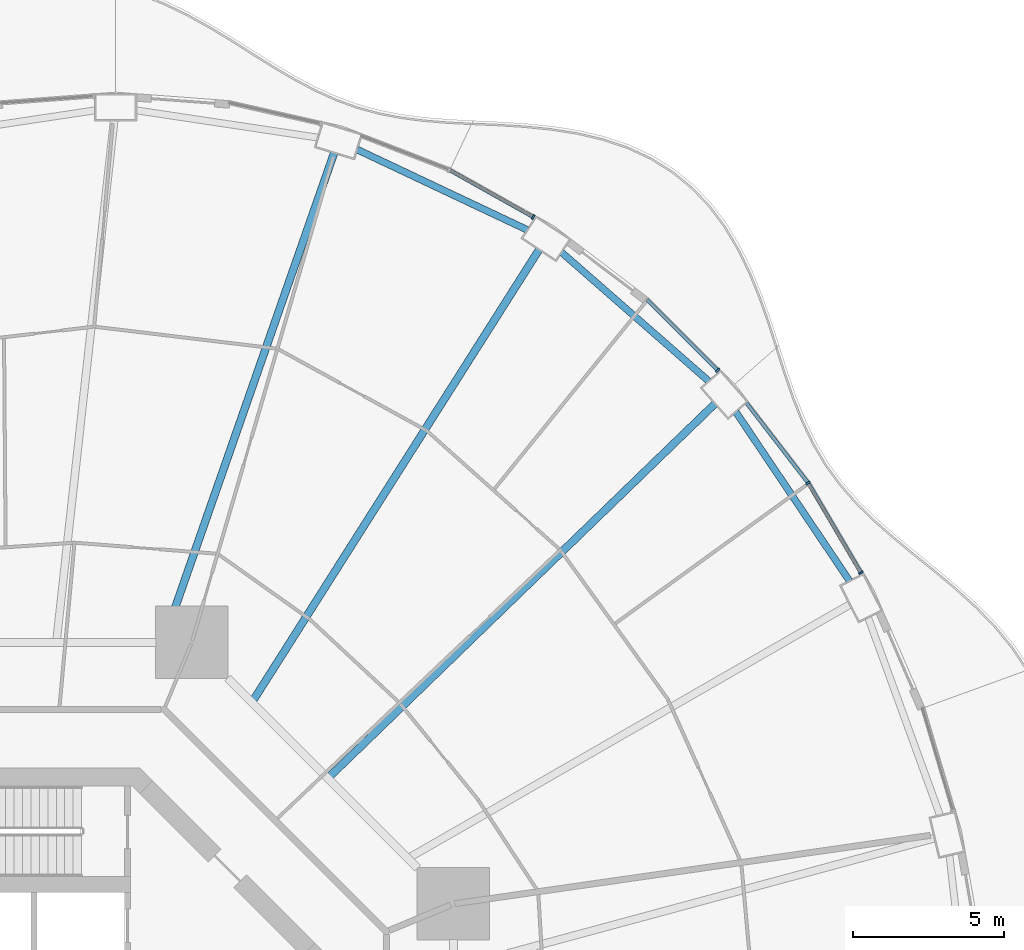
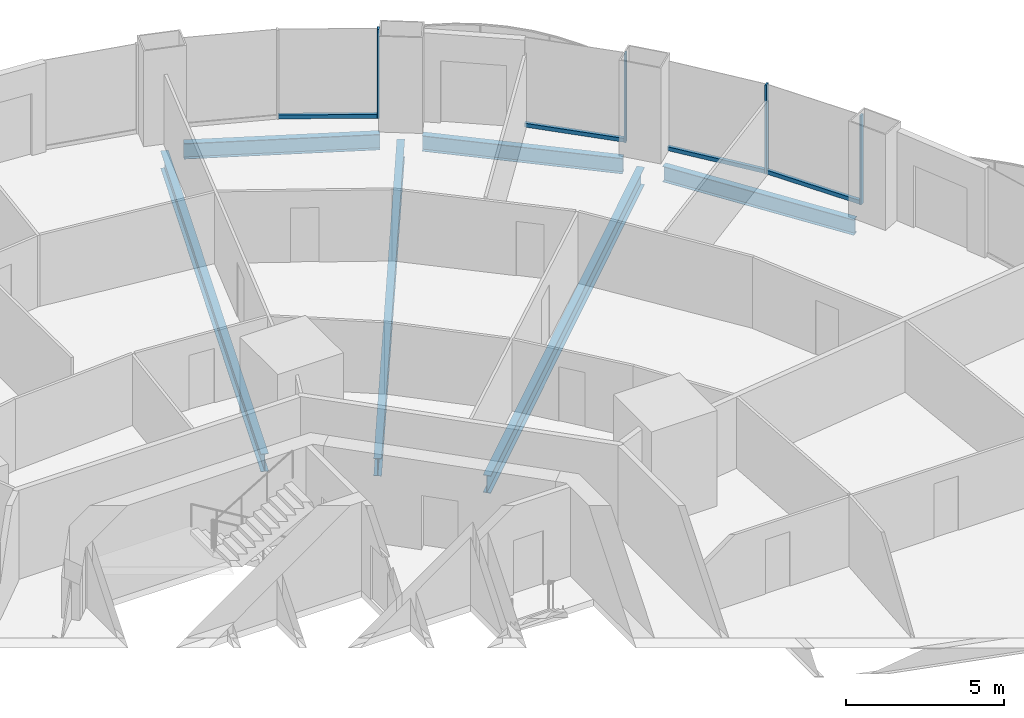
# One storey, part 10 of 22: 8 members, 6 beams, 4 elements without a shape of their own.
"""IFC4 building model written with IfcOpenShell, lengths in metres."""

from ifc_helpers import new_model, si_unit, direction, frame, origin, origin_2d, place, context, subcontext, project, spatial, rectangle, i_section, extrude, material, layer, layer_set, material_profile, profile_set, type_object, element, aggregate, save


model = new_model("IFC4")

# Units and contexts
model_context = context("Model", 3, precision=1e-05, world=origin(), true_north=direction((0.0, 1.0)))
body_context = subcontext(model_context, "Body", "Model", "MODEL_VIEW")
ifc_project = project(units=[si_unit("LENGTHUNIT", "METRE"), si_unit("AREAUNIT", "SQUARE_METRE"), si_unit("VOLUMEUNIT", "CUBIC_METRE"), si_unit("PLANEANGLEUNIT", "RADIAN"), si_unit("MASSUNIT", "GRAM", prefix="KILO")], contexts=[model_context])

# Site, building, storey
site_placement = place(None, origin())
site = spatial("IfcSite", under=ifc_project, at=site_placement, CompositionType="ELEMENT")
building_placement = place(site_placement, origin())
building = spatial("IfcBuilding", under=site, at=building_placement, Name="Nagisa Residences", CompositionType="ELEMENT")
storey_placement = place(building_placement, frame((0.0, 0.0, 41.800048828125)))
storey = spatial("IfcBuildingStorey", under=building, at=storey_placement, Name="L09", CompositionType="ELEMENT", Elevation=41.800048828125)

# Curtain wall, member
ifc_material_1 = material(Name="Concrete-coloured aluminium curtain wall system", Category="concrete")
ifc_layer = layer(ifc_material_1, 0.159912109375)
ifc_layer_set = layer_set([ifc_layer], Name="CW1 CURTAIN WALL")
curtain_wall_type = type_object("IfcCurtainWallType", Name="CW1 CURTAIN WALL", PredefinedType="NOTDEFINED", material=ifc_layer_set)
curtain_wall_1_placement = place(storey_placement, origin())
curtain_wall_1 = element("IfcCurtainWall", 1, at=curtain_wall_1_placement, inside=storey, type_object=curtain_wall_type, Name="cw:CW1:L09:04", PredefinedType="NOTDEFINED")
ifc_material_2 = material(Name="Concrete-coloured aluminium", Category="concrete")
ifc_material_profile_1 = material_profile(ifc_material_2, rectangle(XDim=0.159912109375, YDim=0.06005859375, at=origin_2d()), Name="CW1 MULLION 160x60")
ifc_profile_set_1 = profile_set([ifc_material_profile_1], Name="Concrete-coloured aluminium")
member_type_1 = type_object("IfcMemberType", Name="CW1 MULLION 160x60", PredefinedType="MULLION", material=ifc_profile_set_1)
member_1_placement = place(storey_placement, frame((28.276123046875, 17.089111328125, 0.0), z_axis=(0.0, 0.0, 1.0), x_axis=(-0.862328898214, -0.506348567002, 0.0)))
member_1 = element("IfcMember", 2, at=member_1_placement, type_object=member_type_1, Name="CW1 mullion", PredefinedType="MULLION", context=body_context, shape_type="SweptSolid", body=[
    extrude(rectangle(XDim=0.159912109375, YDim=0.06005859375, at=origin_2d()), origin(), (0.0, 0.0, 1.0), 3.43994140625),
])

curtain_wall_2_placement = place(storey_placement, origin())
curtain_wall_2 = element("IfcCurtainWall", 3, at=curtain_wall_2_placement, inside=storey, type_object=curtain_wall_type, Name="cw:CW1:L09:05", PredefinedType="NOTDEFINED")
member_2_placement = place(storey_placement, frame((26.525634765625, 20.06396484375, 0.0), z_axis=(0.0, 0.0, 1.0), x_axis=(-0.792070340816, -0.610429828235, 0.0)))
member_2 = element("IfcMember", 4, at=member_2_placement, type_object=member_type_1, Name="CW1 mullion", PredefinedType="MULLION", context=body_context, shape_type="SweptSolid", body=[
    extrude(rectangle(XDim=0.159912109375, YDim=0.06005859375, at=origin_2d()), origin(), (0.0, 0.0, 1.0), 3.43994140625),
])

curtain_wall_3_placement = place(storey_placement, origin())
curtain_wall_3 = element("IfcCurtainWall", 5, at=curtain_wall_3_placement, inside=storey, type_object=curtain_wall_type, Name="cw:CW1:L09:06", PredefinedType="NOTDEFINED")
member_3_placement = place(storey_placement, frame((23.532958984375, 23.79345703125, 0.0), z_axis=(0.0, 0.0, 1.0), x_axis=(-0.706376885714, -0.707835924016, 0.0)))
member_3 = element("IfcMember", 6, at=member_3_placement, type_object=member_type_1, Name="CW1 mullion", PredefinedType="MULLION", context=body_context, shape_type="SweptSolid", body=[
    extrude(rectangle(XDim=0.159912109375, YDim=0.06005859375, at=origin_2d()), origin(), (0.0, 0.0, 1.0), 3.43994140625),
])

curtain_wall_4_placement = place(storey_placement, origin())
curtain_wall_4 = element("IfcCurtainWall", 7, at=curtain_wall_4_placement, inside=storey, type_object=curtain_wall_type, Name="cw:CW1:L09:08", PredefinedType="NOTDEFINED")
member_4_placement = place(storey_placement, frame((17.42431640625, 28.8662109375, 0.0), z_axis=(0.0, 0.0, 1.0), x_axis=(-0.489376918501, -0.872072377523, 0.0)))
member_4 = element("IfcMember", 8, at=member_4_placement, type_object=member_type_1, Name="CW1 mullion", PredefinedType="MULLION", context=body_context, shape_type="SweptSolid", body=[
    extrude(rectangle(XDim=0.159912109375, YDim=0.06005859375, at=origin_2d()), origin(), (0.0, 0.0, 1.0), 3.43994140625),
])

# Member
ifc_material_3 = material(Name="Concrete-coloured aluminium", Category="concrete")
ifc_material_profile_2 = material_profile(ifc_material_3, rectangle(XDim=0.1201171875, YDim=0.14990234375, at=origin_2d()), Name="CW1 TRANSOM 120x150")
ifc_profile_set_2 = profile_set([ifc_material_profile_2], Name="Concrete-coloured aluminium")
member_type_2 = type_object("IfcMemberType", Name="CW1 TRANSOM 120x150", PredefinedType="USERDEFINED", material=ifc_profile_set_2)
member_5_placement = place(storey_placement, frame((28.291259765625, 17.063232421875, 0.074951171875), z_axis=(-0.506341951316, 0.862332782827, 0.0), x_axis=(-0.862332782827, -0.506341951316, 0.0)))
member_5 = element("IfcMember", 9, at=member_5_placement, type_object=member_type_2, Name="CW1 transom", ObjectType="TRANSOM", PredefinedType="USERDEFINED", context=body_context, shape_type="SweptSolid", body=[
    extrude(rectangle(XDim=0.1201171875, YDim=0.14990234375, at=origin_2d()), origin(), (0.0, 0.0, 1.0), 3.4619140625),
])

aggregate(curtain_wall_1, [member_1, member_5])

member_6_placement = place(storey_placement, frame((26.5439453125, 20.040283203125, 0.074951171875), z_axis=(-0.610457147657, 0.792049285635, 0.0), x_axis=(-0.792049285635, -0.610457147657, 0.0)))
member_6 = element("IfcMember", 10, at=member_6_placement, type_object=member_type_2, Name="CW1 transom", ObjectType="TRANSOM", PredefinedType="USERDEFINED", context=body_context, shape_type="SweptSolid", body=[
    extrude(rectangle(XDim=0.1201171875, YDim=0.14990234375, at=origin_2d()), origin(), (0.0, 0.0, 1.0), 3.3974609375),
])

aggregate(curtain_wall_2, [member_2, member_6])

member_7_placement = place(storey_placement, frame((23.55419921875, 23.7724609375, 0.074951171875), z_axis=(-0.707876350734, 0.706336373176, 0.0), x_axis=(-0.706336373176, -0.707876350734, 0.0)))
member_7 = element("IfcMember", 11, at=member_7_placement, type_object=member_type_2, Name="CW1 transom", ObjectType="TRANSOM", PredefinedType="USERDEFINED", context=body_context, shape_type="SweptSolid", body=[
    extrude(rectangle(XDim=0.1201171875, YDim=0.14990234375, at=origin_2d()), origin(), (0.0, 0.0, 1.0), 3.329345703125),
])

aggregate(curtain_wall_3, [member_3, member_7])

member_8_placement = place(storey_placement, frame((17.450439453125, 28.8515625, 0.074951171875), z_axis=(-0.872070011948, 0.489381133946, 0.0), x_axis=(-0.489381133946, -0.872070011948, 0.0)))
member_8 = element("IfcMember", 12, at=member_8_placement, type_object=member_type_2, Name="CW1 transom", ObjectType="TRANSOM", PredefinedType="USERDEFINED", context=body_context, shape_type="SweptSolid", body=[
    extrude(rectangle(XDim=0.1201171875, YDim=0.14990234375, at=origin_2d()), origin(), (0.0, 0.0, 1.0), 3.201171875),
])

aggregate(curtain_wall_4, [member_4, member_8])

# Beams
ifc_material_4 = material(Name="Steel ASTM A572 Gr 50", Category="steel")
ifc_material_profile_3 = material_profile(ifc_material_4, i_section(OverallWidth=0.22802734375, OverallDepth=0.60302734375, WebThickness=0.010498046875, FlangeThickness=0.014892578125, at=origin_2d()), Name="W610x101")
ifc_profile_set_3 = profile_set([ifc_material_profile_3], Name="Steel ASTM A572 Gr 50")
beam_type_1 = type_object("IfcBeamType", Name="Perimeter ring beam W610x101", PredefinedType="BEAM", material=ifc_profile_set_3)
beam_1_placement = place(storey_placement, frame((27.899169921875, 16.818603515625, -0.5615234375), z_axis=(-0.558271879663, 0.829658067144, 0.0), x_axis=(-0.829658067144, -0.558271879663, 0.0)))
element("IfcBeam", 13, at=beam_1_placement, inside=storey, type_object=beam_type_1, Name="beam:L09:pb03", PredefinedType="BEAM", context=body_context, shape_type="SweptSolid", body=[
    extrude(i_section(OverallWidth=0.22802734375, OverallDepth=0.60302734375, WebThickness=0.010498046875, FlangeThickness=0.014892578125, at=origin_2d()), origin(), (0.0, 0.0, 1.0), 6.74169921875),
])
beam_2_placement = place(storey_placement, frame((23.236328125, 23.432861328125, -0.5615234375), z_axis=(-0.7525907186, 0.658488580217, 0.0), x_axis=(-0.658488580217, -0.7525907186, 0.0)))
element("IfcBeam", 14, at=beam_2_placement, inside=storey, type_object=beam_type_1, Name="beam:L09:pb04", PredefinedType="BEAM", context=body_context, shape_type="SweptSolid", body=[
    extrude(i_section(OverallWidth=0.22802734375, OverallDepth=0.60302734375, WebThickness=0.010498046875, FlangeThickness=0.014892578125, at=origin_2d()), origin(), (0.0, 0.0, 1.0), 6.470458984375),
])
beam_3_placement = place(storey_placement, frame((17.22900390625, 28.439208984375, -0.5615234375), z_axis=(-0.904215426643, 0.427076646774, 0.0), x_axis=(-0.427076646774, -0.904215426643, 0.0)))
element("IfcBeam", 15, at=beam_3_placement, inside=storey, type_object=beam_type_1, Name="beam:L09:pb05", PredefinedType="BEAM", context=body_context, shape_type="SweptSolid", body=[
    extrude(i_section(OverallWidth=0.22802734375, OverallDepth=0.60302734375, WebThickness=0.010498046875, FlangeThickness=0.014892578125, at=origin_2d()), origin(), (0.0, 0.0, 1.0), 6.2275390625),
])
ifc_material_5 = material(Name="Steel ASTM A572 Gr 50", Category="steel")
ifc_material_profile_4 = material_profile(ifc_material_5, i_section(OverallWidth=0.25390625, OverallDepth=0.68408203125, WebThickness=0.012451171875, FlangeThickness=0.018798828125, at=origin_2d()), Name="W690x140")
ifc_profile_set_4 = profile_set([ifc_material_profile_4], Name="Steel ASTM A572 Gr 50")
beam_type_2 = type_object("IfcBeamType", Name="Radial beam W690x140", PredefinedType="BEAM", material=ifc_profile_set_4)
beam_4_placement = place(storey_placement, frame((23.443115234375, 22.681640625, -0.60205078125), z_axis=(-0.718678305776, -0.695342716081, 0.0), x_axis=(0.695342716081, -0.718678305776, 0.0)))
element("IfcBeam", 16, at=beam_4_placement, inside=storey, type_object=beam_type_2, Name="beam:L09:rb04", PredefinedType="BEAM", context=body_context, shape_type="SweptSolid", body=[
    extrude(i_section(OverallWidth=0.25390625, OverallDepth=0.68408203125, WebThickness=0.012451171875, FlangeThickness=0.018798828125, at=origin_2d()), origin(), (0.0, 0.0, 1.0), 17.722900390625),
])
beam_5_placement = place(storey_placement, frame((17.61962890625, 27.78271484375, -0.60205078125), z_axis=(-0.53556610664, -0.844493306911, 0.0), x_axis=(0.844493306911, -0.53556610664, 0.0)))
element("IfcBeam", 17, at=beam_5_placement, inside=storey, type_object=beam_type_2, Name="beam:L09:rb05", PredefinedType="BEAM", context=body_context, shape_type="SweptSolid", body=[
    extrude(i_section(OverallWidth=0.25390625, OverallDepth=0.68408203125, WebThickness=0.012451171875, FlangeThickness=0.018798828125, at=origin_2d()), origin(), (0.0, 0.0, 1.0), 17.63525390625),
])
beam_6_placement = place(storey_placement, frame((10.834228515625, 30.986328125, -0.60205078125), z_axis=(-0.330051195485, -0.943963033364, 0.0), x_axis=(0.943963033364, -0.330051195485, 0.0)))
element("IfcBeam", 18, at=beam_6_placement, inside=storey, type_object=beam_type_2, Name="beam:L09:rb06", PredefinedType="BEAM", context=body_context, shape_type="SweptSolid", body=[
    extrude(i_section(OverallWidth=0.25390625, OverallDepth=0.68408203125, WebThickness=0.012451171875, FlangeThickness=0.018798828125, at=origin_2d()), origin(), (0.0, 0.0, 1.0), 17.045654296875),
])

save(model, "model.ifc")
